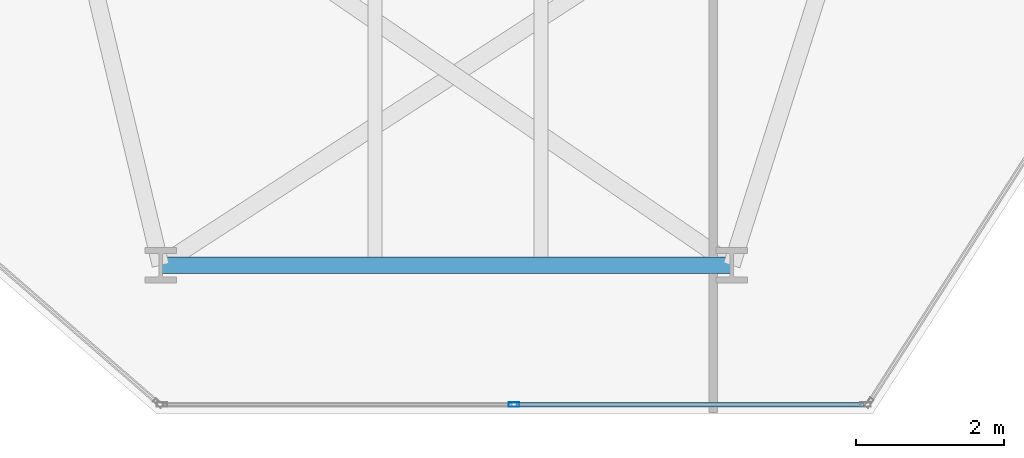
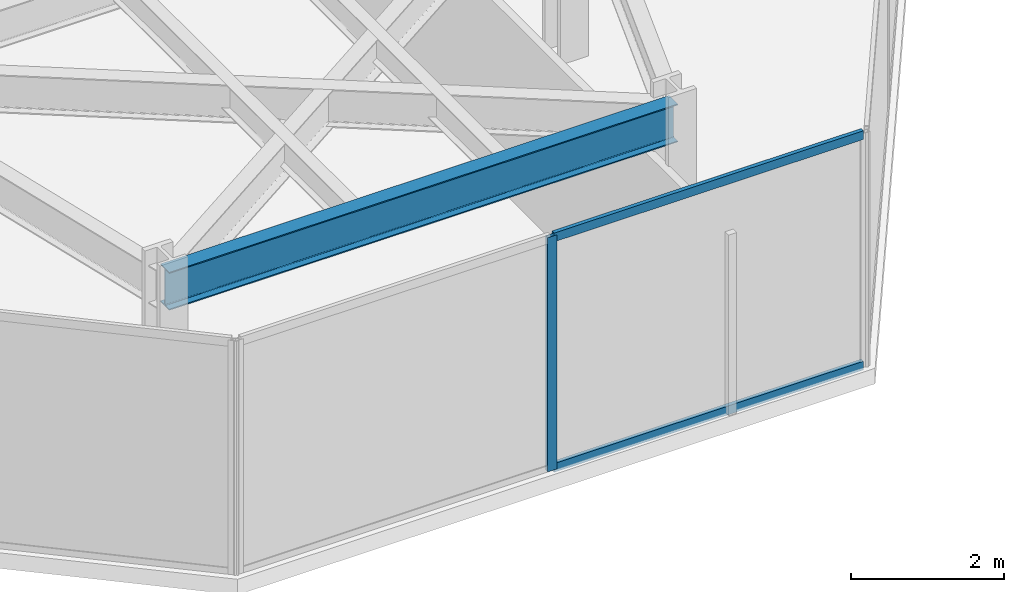
# One storey, part 3 of 26: 3 members, 1 beam, 1 element without a shape of its own.
"""IFC4 building model written with IfcOpenShell, lengths in metres."""

from ifc_helpers import new_model, si_unit, direction, frame, origin, origin_2d, place, context, subcontext, project, spatial, hollow_rectangle, i_section, extrude, material, layer, layer_set, material_profile, profile_set, type_object, element, aggregate, save


model = new_model("IFC4")

# Units and contexts
model_context = context("Model", 3, precision=1e-05, world=origin(), true_north=direction((0.0, 1.0)))
body_context = subcontext(model_context, "Body", "Model", "MODEL_VIEW")
ifc_project = project(units=[si_unit("LENGTHUNIT", "METRE"), si_unit("AREAUNIT", "SQUARE_METRE"), si_unit("VOLUMEUNIT", "CUBIC_METRE"), si_unit("PLANEANGLEUNIT", "RADIAN"), si_unit("MASSUNIT", "GRAM", prefix="KILO")], contexts=[model_context])

# Site, building, storey
site_placement = place(None, origin())
site = spatial("IfcSite", under=ifc_project, at=site_placement, CompositionType="ELEMENT")
building_placement = place(site_placement, origin())
building = spatial("IfcBuilding", under=site, at=building_placement, Name="Kravanh Interchange Tower", CompositionType="ELEMENT")
storey_placement = place(building_placement, frame((0.0, 0.0, 108.0)))
storey = spatial("IfcBuildingStorey", under=building, at=storey_placement, Name="L25", CompositionType="ELEMENT", Elevation=108.0)

# Curtain wall, members
ifc_material_1 = material(Name="Anodised Bronze Aluminium", Category="aluminium")
ifc_layer = layer(ifc_material_1, 0.179931640625)
ifc_layer_set = layer_set([ifc_layer], Name="Unitised Curtain Wall System CW-Z2 Mid Office")
curtain_wall_type = type_object("IfcCurtainWallType", Name="Unitised Curtain Wall System CW-Z2 Mid Office", PredefinedType="NOTDEFINED", material=ifc_layer_set)
curtain_wall_placement = place(storey_placement, origin())
curtain_wall = element("IfcCurtainWall", 1, at=curtain_wall_placement, inside=storey, type_object=curtain_wall_type, Name="L25 Unitised Curtain Wall CW-L25-06", PredefinedType="NOTDEFINED")
ifc_material_2 = material(Name="Anodised Bronze Aluminium", Category="aluminium")
ifc_material_profile_1 = material_profile(ifc_material_2, hollow_rectangle(XDim=0.06005859375, YDim=0.139892578125, WallThickness=0.00390625, at=origin_2d()), Name="ALU60X140X4")
ifc_profile_set_1 = profile_set([ifc_material_profile_1], Name="Anodised Bronze Aluminium")
member_type_1 = type_object("IfcMemberType", Name="Curtain Wall Mullion ALU60X140X4 Bronze", PredefinedType="MULLION", material=ifc_profile_set_1)
member_1_placement = place(storey_placement, frame((22.26220703125, 6.320068359375, 0.0), z_axis=(0.0, 0.0, 1.0), x_axis=(0.0, -1.0, 0.0)))
member_1 = element("IfcMember", 2, at=member_1_placement, type_object=member_type_1, Name="CW-Z2 mullion 2", PredefinedType="MULLION", context=body_context, shape_type="SweptSolid", body=[
    extrude(hollow_rectangle(XDim=0.06005859375, YDim=0.139892578125, WallThickness=0.00390625, at=origin_2d()), origin(), (0.0, 0.0, 1.0), 3.75),
])
ifc_material_3 = material(Name="Anodised Bronze Aluminium", Category="aluminium")
ifc_material_profile_2 = material_profile(ifc_material_3, hollow_rectangle(XDim=0.06005859375, YDim=0.139892578125, WallThickness=0.00390625, at=origin_2d()), Name="ALU60X140X4")
ifc_profile_set_2 = profile_set([ifc_material_profile_2], Name="Anodised Bronze Aluminium")
member_type_2 = type_object("IfcMemberType", Name="Curtain Wall Transom ALU60X140X4 Bronze", PredefinedType="USERDEFINED", material=ifc_profile_set_2)
member_2_placement = place(storey_placement, frame((26.974365234375, 6.320068359375, 0.030029296875), z_axis=(-1.0, 0.0, 0.0), x_axis=(0.0, -1.0, 0.0)))
member_2 = element("IfcMember", 3, at=member_2_placement, type_object=member_type_2, Name="CW-Z2 transom 1.1", ObjectType="TRANSOM", PredefinedType="USERDEFINED", context=body_context, shape_type="SweptSolid", body=[
    extrude(hollow_rectangle(XDim=0.06005859375, YDim=0.139892578125, WallThickness=0.00390625, at=origin_2d()), origin(), (0.0, 0.0, 1.0), 4.682373046875),
])
member_3_placement = place(storey_placement, frame((26.974365234375, 6.320068359375, 3.719970703125), z_axis=(-1.0, 0.0, 0.0), x_axis=(0.0, -1.0, 0.0)))
member_3 = element("IfcMember", 4, at=member_3_placement, type_object=member_type_2, Name="CW-Z2 transom 1.2", ObjectType="TRANSOM", PredefinedType="USERDEFINED", context=body_context, shape_type="SweptSolid", body=[
    extrude(hollow_rectangle(XDim=0.06005859375, YDim=0.139892578125, WallThickness=0.00390625, at=origin_2d()), origin(), (0.0, 0.0, 1.0), 4.682373046875),
])
aggregate(curtain_wall, [member_1, member_2, member_3])

# Beam
ifc_material_4 = material(Name="Structural Steel S355", Category="steel")
ifc_material_profile_3 = material_profile(ifc_material_4, i_section(OverallWidth=0.22802734375, OverallDepth=0.60791015625, WebThickness=0.01123046875, FlangeThickness=0.017333984375, FilletRadius=0.02197265625, at=origin_2d()), Name="W24X76")
ifc_profile_set_3 = profile_set([ifc_material_profile_3], Name="Structural Steel S355")
beam_type = type_object("IfcBeamType", Name="Floor Spandrel W24X76 Structural Steel S355", PredefinedType="SPANDREL", material=ifc_profile_set_3)
beam_placement = place(storey_placement, frame((17.5, 8.199951171875, 3.446044921875), z_axis=(1.0, 0.0, 0.0), x_axis=(0.0, 1.0, 0.0)))
element("IfcBeam", 5, at=beam_placement, inside=storey, type_object=beam_type, Name="L25 Perimeter Spandrel 35", PredefinedType="SPANDREL", context=body_context, shape_type="SweptSolid", body=[
    extrude(i_section(OverallWidth=0.22802734375, OverallDepth=0.60791015625, WebThickness=0.01123046875, FlangeThickness=0.017333984375, FilletRadius=0.02197265625, at=origin_2d()), origin(), (0.0, 0.0, 1.0), 7.699951171875),
])

save(model, "model.ifc")
